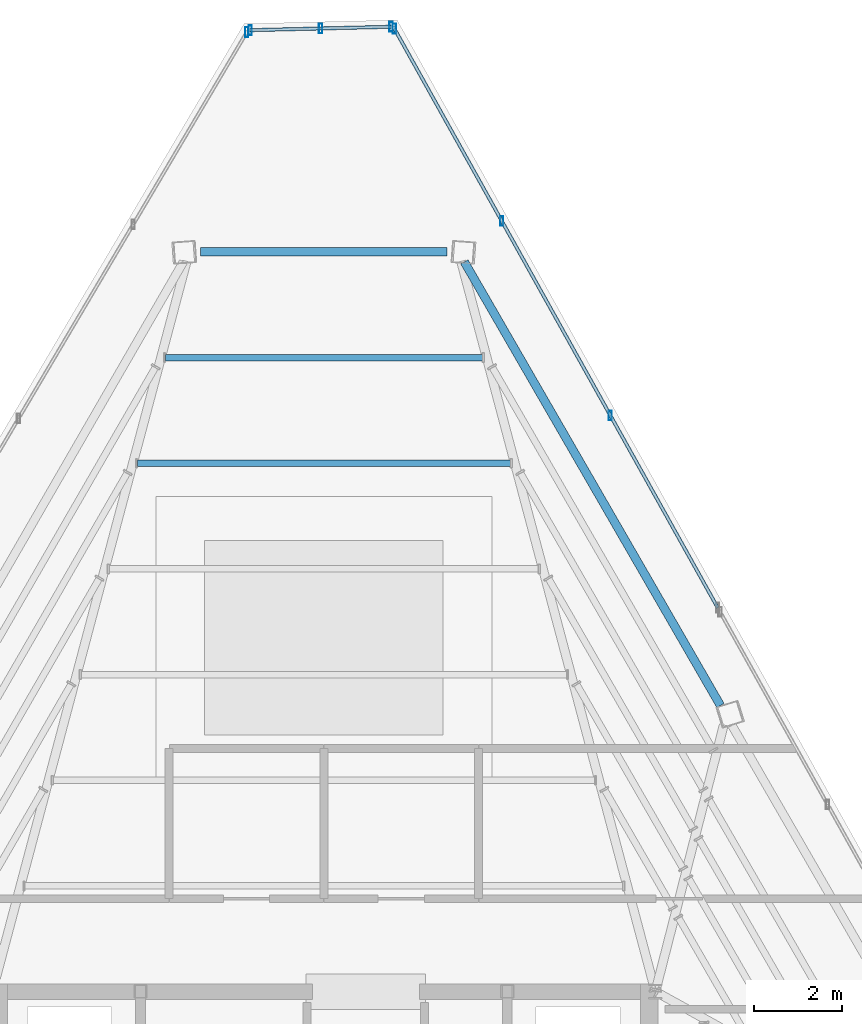
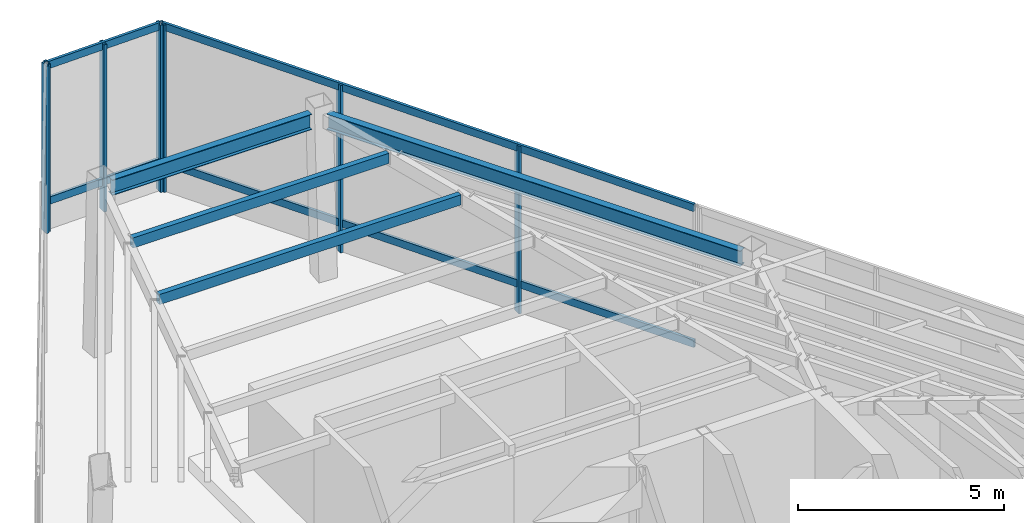
# One storey, part 17 of 25: 11 members, 4 beams, 3 elements without a shape of their own.
"""IFC4 building model written with IfcOpenShell, lengths in metres."""

from ifc_helpers import new_model, si_unit, direction, frame, origin, origin_2d, place, context, subcontext, project, spatial, hollow_rectangle, i_section, extrude, source, transform, mapped, material, material_profile, profile_set, type_object, type_shapes, element, aggregate, save


model = new_model("IFC4")

# Units and contexts
model_context = context("Model", 3, precision=1e-05, world=origin(), true_north=direction((0.0, 1.0)))
body_context = subcontext(model_context, "Body", "Model", "MODEL_VIEW")
ifc_project = project(units=[si_unit("LENGTHUNIT", "METRE"), si_unit("AREAUNIT", "SQUARE_METRE"), si_unit("VOLUMEUNIT", "CUBIC_METRE"), si_unit("PLANEANGLEUNIT", "RADIAN"), si_unit("MASSUNIT", "GRAM", prefix="KILO")], contexts=[model_context])

# Site, building, storey
site_placement = place(None, origin())
site = spatial("IfcSite", under=ifc_project, at=site_placement, CompositionType="ELEMENT")
building_placement = place(site_placement, origin())
building = spatial("IfcBuilding", under=site, at=building_placement, Name="Caelisora Broadcast Tower", CompositionType="ELEMENT")
storey_placement = place(building_placement, frame((0.0, 0.0, 284.60009765625)))
storey = spatial("IfcBuildingStorey", under=building, at=storey_placement, Name="L75", CompositionType="ELEMENT", Elevation=284.60009765625)

# Beams
ifc_material_1 = material(Name="Steel Grade 350 (AS/NZS 3679.1)", Category="steel")
ifc_material_profile_1 = material_profile(ifc_material_1, i_section(OverallWidth=0.19091796875, OverallDepth=0.46044921875, WebThickness=0.010009765625, FlangeThickness=0.01611328125, at=origin_2d()), Name="Steel Grade 350 (AS/NZS 3679.1)")
ifc_profile_set_1 = profile_set([ifc_material_profile_1], Name="Steel Grade 350 (AS/NZS 3679.1)")
beam_type_1 = type_object("IfcBeamType", Name="PG06", PredefinedType="BEAM", material=ifc_profile_set_1)
shared_shape_1 = source(origin(), body_context, "Body", "SweptSolid", [
    extrude(i_section(OverallWidth=0.19091796875, OverallDepth=0.46044921875, WebThickness=0.010009765625, FlangeThickness=0.01611328125, at=origin_2d()), origin(), (0.0, 0.0, 1.0), 5.576171875),
])
beam_1_placement = place(storey_placement, frame((40.7880859375, 46.7333984375, 4.7197265625), z_axis=(-1.0, 0.0, 0.0), x_axis=(0.0, -1.0, 0.0)))
element("IfcBeam", 1, at=beam_1_placement, inside=storey, type_object=beam_type_1, Name="L75 beam PG06", PredefinedType="BEAM", context=body_context, shape_type="MappedRepresentation", body=[
    mapped(shared_shape_1, transform((0.0, 0.0, 0.0), scale=1.0)),
])
shared_shape_2 = source(origin(), body_context, "Body", "SweptSolid", [
    extrude(i_section(OverallWidth=0.19091796875, OverallDepth=0.46044921875, WebThickness=0.010009765625, FlangeThickness=0.01611328125, at=origin_2d()), origin(), (0.0, 0.0, 1.0), 11.5888671875),
])
type_shapes(beam_type_1, [shared_shape_1, shared_shape_2])
beam_2_placement = place(storey_placement, frame((46.97265625, 36.471923828125, 4.7197265625), z_axis=(-0.499995382986, 0.866028069402, 0.0), x_axis=(-0.866028069402, -0.499995382986, 0.0)))
element("IfcBeam", 2, at=beam_2_placement, inside=storey, type_object=beam_type_1, Name="L75 beam PG06", PredefinedType="BEAM", context=body_context, shape_type="MappedRepresentation", body=[
    mapped(shared_shape_2, transform((0.0, 0.0, 0.0), scale=1.0)),
])
ifc_material_2 = material(Name="Steel Grade 350 (AS/NZS 1163 C350L0)", Category="steel")
ifc_material_profile_2 = material_profile(ifc_material_2, hollow_rectangle(XDim=0.14990234375, YDim=0.300048828125, WallThickness=0.010009765625, at=origin_2d()), Name="Steel Grade 350 (AS/NZS 1163 C350L0)")
ifc_profile_set_2 = profile_set([ifc_material_profile_2], Name="Steel Grade 350 (AS/NZS 1163 C350L0)")
beam_type_2 = type_object("IfcBeamType", Name="SB05", PredefinedType="JOIST", material=ifc_profile_set_2)
shared_shape_3 = source(origin(), body_context, "Body", "SweptSolid", [
    extrude(hollow_rectangle(XDim=0.14990234375, YDim=0.300048828125, WallThickness=0.010009765625, at=origin_2d()), origin(), (0.0, 0.0, 1.0), 8.43896484375),
])
beam_3_placement = place(storey_placement, frame((42.219482421875, 41.952392578125, 4.7998046875), z_axis=(-1.0, 0.0, 0.0), x_axis=(0.0, -1.0, 0.0)))
element("IfcBeam", 3, at=beam_3_placement, inside=storey, type_object=beam_type_2, Name="L75 beam SB05", PredefinedType="JOIST", context=body_context, shape_type="MappedRepresentation", body=[
    mapped(shared_shape_3, transform((0.0, 0.0, 0.0), scale=1.0)),
])
shared_shape_4 = source(origin(), body_context, "Body", "SweptSolid", [
    extrude(hollow_rectangle(XDim=0.14990234375, YDim=0.300048828125, WallThickness=0.010009765625, at=origin_2d()), origin(), (0.0, 0.0, 1.0), 7.16748046875),
])
type_shapes(beam_type_2, [shared_shape_3, shared_shape_4])
beam_4_placement = place(storey_placement, frame((41.583740234375, 44.343017578125, 4.7998046875), z_axis=(-1.0, 0.0, 0.0), x_axis=(0.0, -1.0, 0.0)))
element("IfcBeam", 4, at=beam_4_placement, inside=storey, type_object=beam_type_2, Name="L75 beam SB05", PredefinedType="JOIST", context=body_context, shape_type="MappedRepresentation", body=[
    mapped(shared_shape_4, transform((0.0, 0.0, 0.0), scale=1.0)),
])

# Curtain wall, members
ifc_material_3 = material(Name="Unitised Aluminium and Low-E Glass Curtain Wall", Category="glass")
curtain_wall_type = type_object("IfcCurtainWallType", Name="CW-TMD", PredefinedType="NOTDEFINED", material=ifc_material_3)
curtain_wall_1_placement = place(storey_placement, origin())
curtain_wall_1 = element("IfcCurtainWall", 5, at=curtain_wall_1_placement, inside=storey, type_object=curtain_wall_type, Name="L75 curtain wall CW-TMD", PredefinedType="NOTDEFINED")
ifc_material_4 = material(Name="Aluminium 6063-T6 Anodised Terracotta Bronze", Category="aluminium")
ifc_material_profile_3 = material_profile(ifc_material_4, hollow_rectangle(XDim=0.074951171875, YDim=0.219970703125, WallThickness=0.00390625, at=origin_2d()), Name="Aluminium 6063-T6 Anodised Terracotta Bronze")
ifc_profile_set_3 = profile_set([ifc_material_profile_3], Name="Aluminium 6063-T6 Anodised Terracotta Bronze")
member_type_1 = type_object("IfcMemberType", Name="CWM-01", PredefinedType="MULLION", material=ifc_profile_set_3)
shared_shape_5 = source(origin(), body_context, "Body", "SweptSolid", [
    extrude(hollow_rectangle(XDim=0.074951171875, YDim=0.219970703125, WallThickness=0.00390625, at=origin_2d()), origin(), (0.0, 0.0, 1.0), 4.949951171875),
])
type_shapes(member_type_1, [shared_shape_5])
member_1_placement = place(storey_placement, frame((39.595458984375, 51.785400390625, 0.0), z_axis=(0.0, 0.0, 1.0), x_axis=(1.0, 0.0, 0.0)))
member_1 = element("IfcMember", 6, at=member_1_placement, type_object=member_type_1, Name="L75-CW-B01 mullion #0", PredefinedType="MULLION", context=body_context, shape_type="MappedRepresentation", body=[
    mapped(shared_shape_5, transform((0.0, 0.0, 0.0), scale=1.0)),
])
member_2_placement = place(storey_placement, frame((42.026123046875, 47.432373046875, 0.0), z_axis=(0.0, 0.0, 1.0), x_axis=(1.0, 0.0, 0.0)))
member_2 = element("IfcMember", 7, at=member_2_placement, type_object=member_type_1, Name="L75-CW-B01 mullion #1", PredefinedType="MULLION", context=body_context, shape_type="MappedRepresentation", body=[
    mapped(shared_shape_5, transform((0.0, 0.0, 0.0), scale=1.0)),
])
member_3_placement = place(storey_placement, frame((44.481201171875, 43.03564453125, 0.0), z_axis=(0.0, 0.0, 1.0), x_axis=(1.0, 0.0, 0.0)))
member_3 = element("IfcMember", 8, at=member_3_placement, type_object=member_type_1, Name="L75-CW-B01 mullion #2", PredefinedType="MULLION", context=body_context, shape_type="MappedRepresentation", body=[
    mapped(shared_shape_5, transform((0.0, 0.0, 0.0), scale=1.0)),
])

# Curtain wall, member
curtain_wall_2_placement = place(storey_placement, origin())
curtain_wall_2 = element("IfcCurtainWall", 9, at=curtain_wall_2_placement, inside=storey, type_object=curtain_wall_type, Name="L75 curtain wall CW-TMD", PredefinedType="NOTDEFINED")
member_4_placement = place(storey_placement, frame((36.257568359375, 51.7060546875, 0.0), z_axis=(0.0, 0.0, 1.0), x_axis=(1.0, 0.0, 0.0)))
member_4 = element("IfcMember", 10, at=member_4_placement, type_object=member_type_1, Name="L75-CW-B11 mullion #3", PredefinedType="MULLION", context=body_context, shape_type="MappedRepresentation", body=[
    mapped(shared_shape_5, transform((0.0, 0.0, 0.0), scale=1.0)),
])
aggregate(curtain_wall_2, [member_4])

# Curtain wall, members
curtain_wall_3_placement = place(storey_placement, origin())
curtain_wall_3 = element("IfcCurtainWall", 11, at=curtain_wall_3_placement, inside=storey, type_object=curtain_wall_type, Name="L75 curtain wall CW-TMD", PredefinedType="NOTDEFINED")
member_5_placement = place(storey_placement, frame((36.3330078125, 51.750244140625, 0.0), z_axis=(0.0, 0.0, 1.0), x_axis=(1.0, 0.0, 0.0)))
member_5 = element("IfcMember", 12, at=member_5_placement, type_object=member_type_1, Name="L75-CW-B08 mullion #0", PredefinedType="MULLION", context=body_context, shape_type="MappedRepresentation", body=[
    mapped(shared_shape_5, transform((0.0, 0.0, 0.0), scale=1.0)),
])
member_6_placement = place(storey_placement, frame((37.927001953125, 51.7890625, 0.0), z_axis=(0.0, 0.0, 1.0), x_axis=(1.0, 0.0, 0.0)))
member_6 = element("IfcMember", 13, at=member_6_placement, type_object=member_type_1, Name="L75-CW-B08 mullion #1", PredefinedType="MULLION", context=body_context, shape_type="MappedRepresentation", body=[
    mapped(shared_shape_5, transform((0.0, 0.0, 0.0), scale=1.0)),
])
member_7_placement = place(storey_placement, frame((39.52099609375, 51.827880859375, 0.0), z_axis=(0.0, 0.0, 1.0), x_axis=(1.0, 0.0, 0.0)))
member_7 = element("IfcMember", 14, at=member_7_placement, type_object=member_type_1, Name="L75-CW-B08 mullion #2", PredefinedType="MULLION", context=body_context, shape_type="MappedRepresentation", body=[
    mapped(shared_shape_5, transform((0.0, 0.0, 0.0), scale=1.0)),
])

# Member
ifc_material_profile_4 = material_profile(ifc_material_4, hollow_rectangle(XDim=0.074951171875, YDim=0.219970703125, WallThickness=0.00390625, at=origin_2d()), Name="Aluminium 6063-T6 Anodised Terracotta Bronze")
ifc_profile_set_4 = profile_set([ifc_material_profile_4], Name="Aluminium 6063-T6 Anodised Terracotta Bronze")
member_type_2 = type_object("IfcMemberType", Name="CWT-04", PredefinedType="USERDEFINED", material=ifc_profile_set_4)
shared_shape_6 = source(origin(), body_context, "Body", "SweptSolid", [
    extrude(hollow_rectangle(XDim=0.074951171875, YDim=0.219970703125, WallThickness=0.00390625, at=origin_2d()), origin(), (0.0, 0.0, 1.0), 15.007080078125),
])
member_8_placement = place(storey_placement, frame((39.595458984375, 51.785400390625, 0.849853515625), z_axis=(0.48753000151, -0.873106235018, 0.0), x_axis=(0.873106235018, 0.48753000151, 0.0)))
member_8 = element("IfcMember", 15, at=member_8_placement, type_object=member_type_2, Name="L75-CW-B01 transom #1", ObjectType="TRANSOM", PredefinedType="USERDEFINED", context=body_context, shape_type="MappedRepresentation", body=[
    mapped(shared_shape_6, transform((0.0, 0.0, 0.0), scale=1.0)),
])

member_9_placement = place(storey_placement, frame((39.595458984375, 51.785400390625, 4.869873046875), z_axis=(0.48753000151, -0.873106235018, 0.0), x_axis=(0.873106235018, 0.48753000151, 0.0)))
member_9 = element("IfcMember", 16, at=member_9_placement, type_object=member_type_2, Name="L75-CW-B01 transom #2", ObjectType="TRANSOM", PredefinedType="USERDEFINED", context=body_context, shape_type="MappedRepresentation", body=[
    mapped(shared_shape_6, transform((0.0, 0.0, 0.0), scale=1.0)),
])

aggregate(curtain_wall_1, [member_1, member_2, member_3, member_8, member_9])

shared_shape_7 = source(origin(), body_context, "Body", "SweptSolid", [
    extrude(hollow_rectangle(XDim=0.074951171875, YDim=0.219970703125, WallThickness=0.00390625, at=origin_2d()), origin(), (0.0, 0.0, 1.0), 3.18896484375),
])
type_shapes(member_type_2, [shared_shape_6, shared_shape_7])
member_10_placement = place(storey_placement, frame((36.3330078125, 51.750244140625, 0.849853515625), z_axis=(0.999703600276, 0.02434566893, 0.0), x_axis=(-0.02434566893, 0.999703600276, 0.0)))
member_10 = element("IfcMember", 17, at=member_10_placement, type_object=member_type_2, Name="L75-CW-B08 transom #1", ObjectType="TRANSOM", PredefinedType="USERDEFINED", context=body_context, shape_type="MappedRepresentation", body=[
    mapped(shared_shape_7, transform((0.0, 0.0, 0.0), scale=1.0)),
])

member_11_placement = place(storey_placement, frame((36.3330078125, 51.750244140625, 4.869873046875), z_axis=(0.999703600276, 0.02434566893, 0.0), x_axis=(-0.02434566893, 0.999703600276, 0.0)))
member_11 = element("IfcMember", 18, at=member_11_placement, type_object=member_type_2, Name="L75-CW-B08 transom #2", ObjectType="TRANSOM", PredefinedType="USERDEFINED", context=body_context, shape_type="MappedRepresentation", body=[
    mapped(shared_shape_7, transform((0.0, 0.0, 0.0), scale=1.0)),
])

aggregate(curtain_wall_3, [member_5, member_6, member_7, member_10, member_11])

save(model, "model.ifc")
